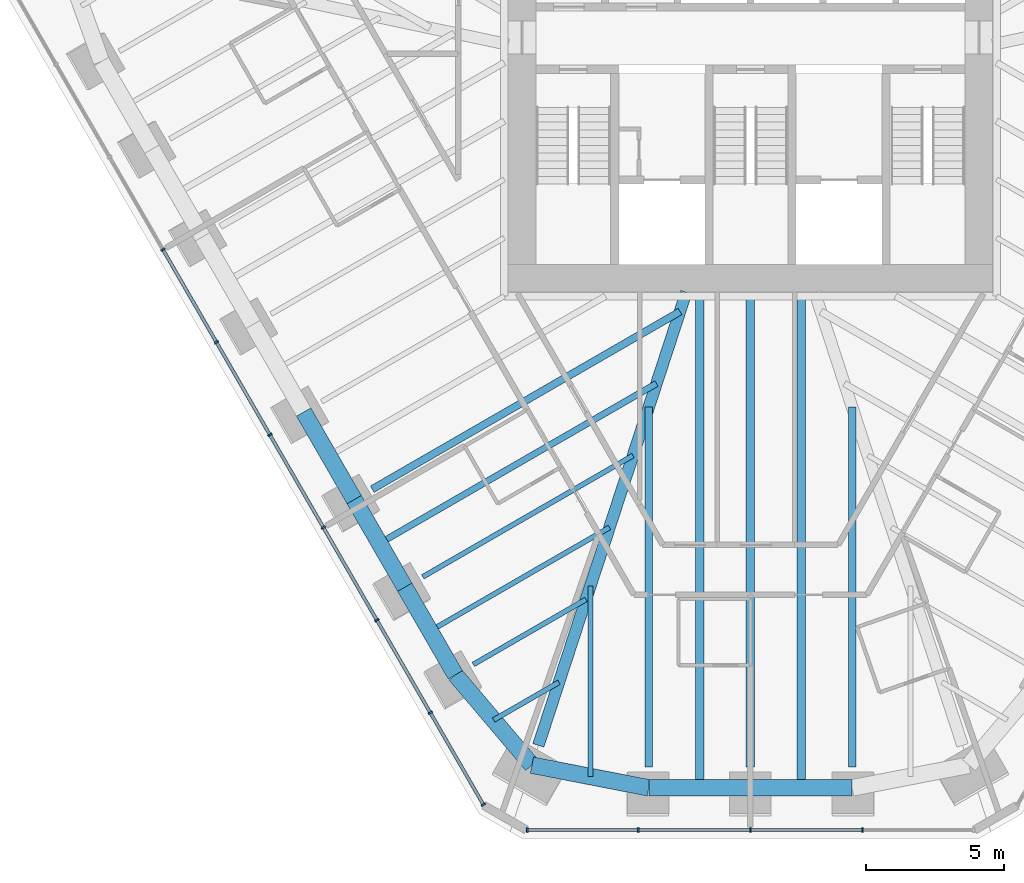
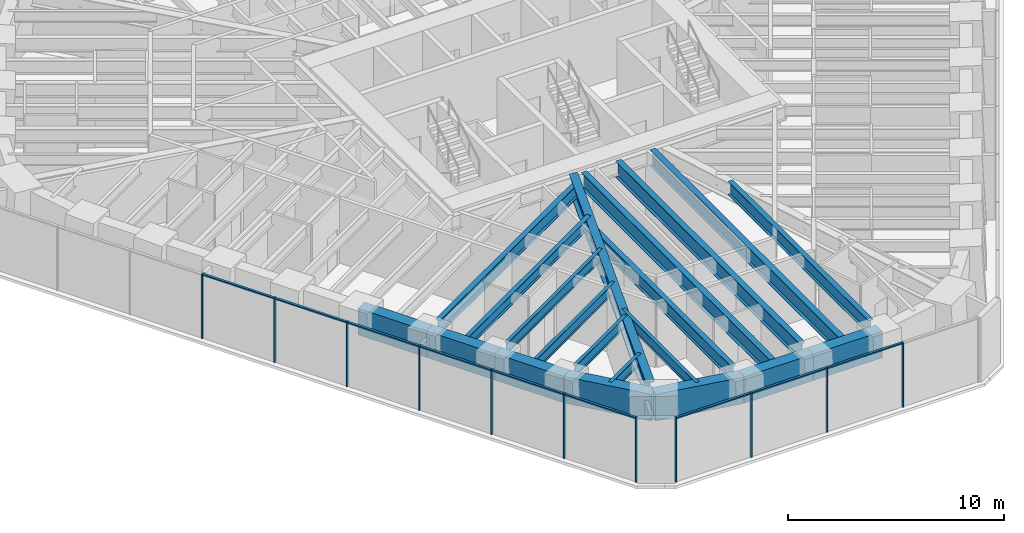
# One storey, part 2 of 17: 20 beams, 20 members, 2 elements without a shape of their own.
"""IFC4 building model written with IfcOpenShell, lengths in metres."""

from ifc_helpers import new_model, si_unit, direction, frame, origin, origin_2d, place, context, subcontext, project, spatial, rectangle, i_section, extrude, material, material_profile, profile_set, type_object, element, aggregate, save


model = new_model("IFC4")

# Units and contexts
model_context = context("Model", 3, precision=1e-05, world=origin(), true_north=direction((0.0, 1.0)))
body_context = subcontext(model_context, "Body", "Model", "MODEL_VIEW")
ifc_project = project(units=[si_unit("LENGTHUNIT", "METRE"), si_unit("AREAUNIT", "SQUARE_METRE"), si_unit("VOLUMEUNIT", "CUBIC_METRE"), si_unit("PLANEANGLEUNIT", "RADIAN"), si_unit("MASSUNIT", "GRAM", prefix="KILO")], contexts=[model_context])

# Site, building, storey
site_placement = place(None, origin())
site = spatial("IfcSite", under=ifc_project, at=site_placement, CompositionType="ELEMENT")
building_placement = place(site_placement, origin())
building = spatial("IfcBuilding", under=site, at=building_placement, Name="Sandreach Pilgrim Tower", CompositionType="ELEMENT")
storey_placement = place(building_placement, frame((0.0, 0.0, 232.60009765625)))
storey = spatial("IfcBuildingStorey", under=building, at=storey_placement, Name="L58", CompositionType="ELEMENT", Elevation=232.60009765625)

# Curtain wall, members
ifc_material_1 = material(Name="Aluminium framed curtain wall", Category="aluminium")
curtain_wall_type = type_object("IfcCurtainWallType", Name="Upper hotel tower curtain wall", PredefinedType="NOTDEFINED", material=ifc_material_1)
curtain_wall_1_placement = place(storey_placement, origin())
curtain_wall_1 = element("IfcCurtainWall", 1, at=curtain_wall_1_placement, inside=storey, type_object=curtain_wall_type, Name="CW-3 L58 S", PredefinedType="NOTDEFINED")
ifc_material_2 = material(Name="Aluminium extrusion", Category="aluminium")
ifc_material_profile_1 = material_profile(ifc_material_2, rectangle(XDim=0.06494140625, YDim=0.159912109375, at=origin_2d()), Name="CW-3M 65X160")
ifc_profile_set_1 = profile_set([ifc_material_profile_1], Name="Aluminium extrusion")
member_type_1 = type_object("IfcMemberType", Name="CW-3 mullion", PredefinedType="MULLION", material=ifc_profile_set_1)
member_1_placement = place(storey_placement, frame((4.048583984375, -26.525146484375, 0.0), z_axis=(0.0, 0.0, 1.0), x_axis=(-1.0, 0.0, 0.0)))
member_1 = element("IfcMember", 2, at=member_1_placement, type_object=member_type_1, Name="CW-3 mullion 2", PredefinedType="MULLION", context=body_context, shape_type="SweptSolid", body=[
    extrude(rectangle(XDim=0.06494140625, YDim=0.159912109375, at=origin_2d()), origin(), (0.0, 0.0, 1.0), 3.639892578125),
])
member_2_placement = place(storey_placement, frame((0.0, -26.525146484375, 0.0), z_axis=(0.0, 0.0, 1.0), x_axis=(-1.0, 0.0, 0.0)))
member_2 = element("IfcMember", 3, at=member_2_placement, type_object=member_type_1, Name="CW-3 mullion 3", PredefinedType="MULLION", context=body_context, shape_type="SweptSolid", body=[
    extrude(rectangle(XDim=0.06494140625, YDim=0.159912109375, at=origin_2d()), origin(), (0.0, 0.0, 1.0), 3.639892578125),
])
member_3_placement = place(storey_placement, frame((-4.048583984375, -26.525146484375, 0.0), z_axis=(0.0, 0.0, 1.0), x_axis=(-1.0, 0.0, 0.0)))
member_3 = element("IfcMember", 4, at=member_3_placement, type_object=member_type_1, Name="CW-3 mullion 4", PredefinedType="MULLION", context=body_context, shape_type="SweptSolid", body=[
    extrude(rectangle(XDim=0.06494140625, YDim=0.159912109375, at=origin_2d()), origin(), (0.0, 0.0, 1.0), 3.639892578125),
])
member_4_placement = place(storey_placement, frame((-8.06494140625, -26.525146484375, 0.0), z_axis=(0.0, 0.0, 1.0), x_axis=(-1.0, 0.0, 0.0)))
member_4 = element("IfcMember", 5, at=member_4_placement, type_object=member_type_1, Name="CW-3 mullion 5", PredefinedType="MULLION", context=body_context, shape_type="SweptSolid", body=[
    extrude(rectangle(XDim=0.06494140625, YDim=0.159912109375, at=origin_2d()), origin(), (0.0, 0.0, 1.0), 3.639892578125),
])

curtain_wall_2_placement = place(storey_placement, origin())
curtain_wall_2 = element("IfcCurtainWall", 6, at=curtain_wall_2_placement, inside=storey, type_object=curtain_wall_type, Name="CW-3 L58 SW", PredefinedType="NOTDEFINED")
member_5_placement = place(storey_placement, frame((-9.646484375, -25.612060546875, 0.0), z_axis=(0.0, 0.0, 1.0), x_axis=(-0.5, 0.866025403784, 0.0)))
member_5 = element("IfcMember", 7, at=member_5_placement, type_object=member_type_1, Name="CW-3 mullion 1", PredefinedType="MULLION", context=body_context, shape_type="SweptSolid", body=[
    extrude(rectangle(XDim=0.06494140625, YDim=0.159912109375, at=origin_2d()), origin(), (0.0, 0.0, 1.0), 3.639892578125),
])
member_6_placement = place(storey_placement, frame((-11.5625, -22.29345703125, 0.0), z_axis=(0.0, 0.0, 1.0), x_axis=(-0.5, 0.866025403784, 0.0)))
member_6 = element("IfcMember", 8, at=member_6_placement, type_object=member_type_1, Name="CW-3 mullion 2", PredefinedType="MULLION", context=body_context, shape_type="SweptSolid", body=[
    extrude(rectangle(XDim=0.06494140625, YDim=0.159912109375, at=origin_2d()), origin(), (0.0, 0.0, 1.0), 3.639892578125),
])
member_7_placement = place(storey_placement, frame((-13.49462890625, -18.94677734375, 0.0), z_axis=(0.0, 0.0, 1.0), x_axis=(-0.5, 0.866025403784, 0.0)))
member_7 = element("IfcMember", 9, at=member_7_placement, type_object=member_type_1, Name="CW-3 mullion 3", PredefinedType="MULLION", context=body_context, shape_type="SweptSolid", body=[
    extrude(rectangle(XDim=0.06494140625, YDim=0.159912109375, at=origin_2d()), origin(), (0.0, 0.0, 1.0), 3.639892578125),
])
member_8_placement = place(storey_placement, frame((-15.4267578125, -15.60009765625, 0.0), z_axis=(0.0, 0.0, 1.0), x_axis=(-0.5, 0.866025403784, 0.0)))
member_8 = element("IfcMember", 10, at=member_8_placement, type_object=member_type_1, Name="CW-3 mullion 4", PredefinedType="MULLION", context=body_context, shape_type="SweptSolid", body=[
    extrude(rectangle(XDim=0.06494140625, YDim=0.159912109375, at=origin_2d()), origin(), (0.0, 0.0, 1.0), 3.639892578125),
])
member_9_placement = place(storey_placement, frame((-17.359130859375, -12.25341796875, 0.0), z_axis=(0.0, 0.0, 1.0), x_axis=(-0.5, 0.866025403784, 0.0)))
member_9 = element("IfcMember", 11, at=member_9_placement, type_object=member_type_1, Name="CW-3 mullion 5", PredefinedType="MULLION", context=body_context, shape_type="SweptSolid", body=[
    extrude(rectangle(XDim=0.06494140625, YDim=0.159912109375, at=origin_2d()), origin(), (0.0, 0.0, 1.0), 3.639892578125),
])
member_10_placement = place(storey_placement, frame((-19.291259765625, -8.90673828125, 0.0), z_axis=(0.0, 0.0, 1.0), x_axis=(-0.5, 0.866025403784, 0.0)))
member_10 = element("IfcMember", 12, at=member_10_placement, type_object=member_type_1, Name="CW-3 mullion 6", PredefinedType="MULLION", context=body_context, shape_type="SweptSolid", body=[
    extrude(rectangle(XDim=0.06494140625, YDim=0.159912109375, at=origin_2d()), origin(), (0.0, 0.0, 1.0), 3.639892578125),
])
member_11_placement = place(storey_placement, frame((-21.223388671875, -5.56005859375, 0.0), z_axis=(0.0, 0.0, 1.0), x_axis=(-0.5, 0.866025403784, 0.0)))
member_11 = element("IfcMember", 13, at=member_11_placement, type_object=member_type_1, Name="CW-3 mullion 7", PredefinedType="MULLION", context=body_context, shape_type="SweptSolid", body=[
    extrude(rectangle(XDim=0.06494140625, YDim=0.159912109375, at=origin_2d()), origin(), (0.0, 0.0, 1.0), 3.639892578125),
])

# Member
ifc_material_3 = material(Name="Aluminium extrusion", Category="aluminium")
ifc_material_profile_2 = material_profile(ifc_material_3, rectangle(XDim=0.1201171875, YDim=0.070068359375, at=origin_2d()), Name="CW-3T 120X70")
ifc_profile_set_2 = profile_set([ifc_material_profile_2], Name="Aluminium extrusion")
member_type_2 = type_object("IfcMemberType", Name="CW-3 transom", PredefinedType="USERDEFINED", material=ifc_profile_set_2)
member_12_placement = place(storey_placement, frame((4.01611328125, -26.525146484375, 3.60498046875), z_axis=(-1.0, 0.0, 0.0), x_axis=(0.0, -1.0, 0.0)))
member_12 = element("IfcMember", 14, at=member_12_placement, type_object=member_type_2, Name="CW-3 head transom 2", ObjectType="TRANSOM", PredefinedType="USERDEFINED", context=body_context, shape_type="SweptSolid", body=[
    extrude(rectangle(XDim=0.1201171875, YDim=0.070068359375, at=origin_2d()), origin(), (0.0, 0.0, 1.0), 3.983642578125),
])

member_13_placement = place(storey_placement, frame((-0.032470703125, -26.525146484375, 3.60498046875), z_axis=(-1.0, 0.0, 0.0), x_axis=(0.0, -1.0, 0.0)))
member_13 = element("IfcMember", 15, at=member_13_placement, type_object=member_type_2, Name="CW-3 head transom 3", ObjectType="TRANSOM", PredefinedType="USERDEFINED", context=body_context, shape_type="SweptSolid", body=[
    extrude(rectangle(XDim=0.1201171875, YDim=0.070068359375, at=origin_2d()), origin(), (0.0, 0.0, 1.0), 3.983642578125),
])

member_14_placement = place(storey_placement, frame((-4.081298828125, -26.525146484375, 3.60498046875), z_axis=(-1.0, 0.0, 0.0), x_axis=(0.0, -1.0, 0.0)))
member_14 = element("IfcMember", 16, at=member_14_placement, type_object=member_type_2, Name="CW-3 head transom 4", ObjectType="TRANSOM", PredefinedType="USERDEFINED", context=body_context, shape_type="SweptSolid", body=[
    extrude(rectangle(XDim=0.1201171875, YDim=0.070068359375, at=origin_2d()), origin(), (0.0, 0.0, 1.0), 3.951171875),
])

aggregate(curtain_wall_1, [member_1, member_2, member_3, member_4, member_12, member_13, member_14])

member_15_placement = place(storey_placement, frame((-9.662841796875, -25.583740234375, 3.60498046875), z_axis=(-0.499973055223, 0.8660409598, 0.0), x_axis=(-0.8660409598, -0.499973055223, 0.0)))
member_15 = element("IfcMember", 17, at=member_15_placement, type_object=member_type_2, Name="CW-3 head transom 1", ObjectType="TRANSOM", PredefinedType="USERDEFINED", context=body_context, shape_type="SweptSolid", body=[
    extrude(rectangle(XDim=0.1201171875, YDim=0.070068359375, at=origin_2d()), origin(), (0.0, 0.0, 1.0), 3.766845703125),
])

member_16_placement = place(storey_placement, frame((-11.57861328125, -22.265380859375, 3.60498046875), z_axis=(-0.500022797313, 0.86601224135, 0.0), x_axis=(-0.86601224135, -0.500022797313, 0.0)))
member_16 = element("IfcMember", 18, at=member_16_placement, type_object=member_type_2, Name="CW-3 head transom 2", ObjectType="TRANSOM", PredefinedType="USERDEFINED", context=body_context, shape_type="SweptSolid", body=[
    extrude(rectangle(XDim=0.1201171875, YDim=0.070068359375, at=origin_2d()), origin(), (0.0, 0.0, 1.0), 3.799560546875),
])

member_17_placement = place(storey_placement, frame((-13.510986328125, -18.918701171875, 3.60498046875), z_axis=(-0.499974606132, 0.866040064445, 0.0), x_axis=(-0.866040064445, -0.499974606132, 0.0)))
member_17 = element("IfcMember", 19, at=member_17_placement, type_object=member_type_2, Name="CW-3 head transom 3", ObjectType="TRANSOM", PredefinedType="USERDEFINED", context=body_context, shape_type="SweptSolid", body=[
    extrude(rectangle(XDim=0.1201171875, YDim=0.070068359375, at=origin_2d()), origin(), (0.0, 0.0, 1.0), 3.799560546875),
])

member_18_placement = place(storey_placement, frame((-15.443115234375, -15.572021484375, 3.60498046875), z_axis=(-0.499974606132, 0.866040064445, 0.0), x_axis=(-0.866040064445, -0.499974606132, 0.0)))
member_18 = element("IfcMember", 20, at=member_18_placement, type_object=member_type_2, Name="CW-3 head transom 4", ObjectType="TRANSOM", PredefinedType="USERDEFINED", context=body_context, shape_type="SweptSolid", body=[
    extrude(rectangle(XDim=0.1201171875, YDim=0.070068359375, at=origin_2d()), origin(), (0.0, 0.0, 1.0), 3.799560546875),
])

member_19_placement = place(storey_placement, frame((-17.375244140625, -12.225341796875, 3.60498046875), z_axis=(-0.500022797313, 0.86601224135, 0.0), x_axis=(-0.86601224135, -0.500022797313, 0.0)))
member_19 = element("IfcMember", 21, at=member_19_placement, type_object=member_type_2, Name="CW-3 head transom 5", ObjectType="TRANSOM", PredefinedType="USERDEFINED", context=body_context, shape_type="SweptSolid", body=[
    extrude(rectangle(XDim=0.1201171875, YDim=0.070068359375, at=origin_2d()), origin(), (0.0, 0.0, 1.0), 3.799560546875),
])

member_20_placement = place(storey_placement, frame((-19.3076171875, -8.878662109375, 3.60498046875), z_axis=(-0.499974606132, 0.866040064445, 0.0), x_axis=(-0.866040064445, -0.499974606132, 0.0)))
member_20 = element("IfcMember", 22, at=member_20_placement, type_object=member_type_2, Name="CW-3 head transom 6", ObjectType="TRANSOM", PredefinedType="USERDEFINED", context=body_context, shape_type="SweptSolid", body=[
    extrude(rectangle(XDim=0.1201171875, YDim=0.070068359375, at=origin_2d()), origin(), (0.0, 0.0, 1.0), 3.799560546875),
])

aggregate(curtain_wall_2, [member_5, member_6, member_7, member_8, member_9, member_10, member_11, member_15, member_16, member_17, member_18, member_19, member_20])

# Beams
ifc_material_4 = material(Name="Steel ASTM A992 Grade 50", Category="steel")
ifc_material_profile_3 = material_profile(ifc_material_4, i_section(OverallWidth=0.421630859375, OverallDepth=0.95751953125, WebThickness=0.02587890625, FlangeThickness=0.046875, at=origin_2d()), Name="W36X330")
ifc_profile_set_3 = profile_set([ifc_material_profile_3], Name="Steel ASTM A992 Grade 50")
beam_type_1 = type_object("IfcBeamType", Name="Corner girder W36X330", PredefinedType="BEAM", material=ifc_profile_set_3)
beam_1_placement = place(storey_placement, frame((-7.661865234375, -23.4716796875, 3.1611328125), z_axis=(0.310318643638, 0.950632599594, 0.0), x_axis=(-0.950632599594, 0.310318643638, 0.0)))
element("IfcBeam", 23, at=beam_1_placement, inside=storey, type_object=beam_type_1, Name="BM L58 CG26", PredefinedType="BEAM", context=body_context, shape_type="SweptSolid", body=[
    extrude(i_section(OverallWidth=0.421630859375, OverallDepth=0.95751953125, WebThickness=0.02587890625, FlangeThickness=0.046875, at=origin_2d()), origin(), (0.0, 0.0, 1.0), 17.2216796875),
])
ifc_material_5 = material(Name="Steel ASTM A992 Grade 50", Category="steel")
ifc_material_profile_4 = material_profile(ifc_material_5, i_section(OverallWidth=0.1787109375, OverallDepth=0.60205078125, WebThickness=0.010986328125, FlangeThickness=0.014892578125, at=origin_2d()), Name="W24X62")
ifc_profile_set_4 = profile_set([ifc_material_profile_4], Name="Steel ASTM A992 Grade 50")
beam_type_2 = type_object("IfcBeamType", Name="Floor beam W24X62", PredefinedType="BEAM", material=ifc_profile_set_4)
beam_2_placement = place(storey_placement, frame((-10.01025390625, -20.546630859375, 3.3388671875), z_axis=(0.866016039709, 0.500016218704, 0.0), x_axis=(-0.500016218704, 0.866016039709, 0.0)))
element("IfcBeam", 24, at=beam_2_placement, inside=storey, type_object=beam_type_2, Name="BM L58 F27", PredefinedType="BEAM", context=body_context, shape_type="SweptSolid", body=[
    extrude(i_section(OverallWidth=0.1787109375, OverallDepth=0.60205078125, WebThickness=0.010986328125, FlangeThickness=0.014892578125, at=origin_2d()), origin(), (0.0, 0.0, 1.0), 4.699951171875),
])
beam_3_placement = place(storey_placement, frame((-11.837158203125, -17.38232421875, 3.3388671875), z_axis=(0.866021001513, 0.500007624881, 0.0), x_axis=(-0.500007624881, 0.866021001513, 0.0)))
element("IfcBeam", 25, at=beam_3_placement, inside=storey, type_object=beam_type_2, Name="BM L58 F28", PredefinedType="BEAM", context=body_context, shape_type="SweptSolid", body=[
    extrude(i_section(OverallWidth=0.1787109375, OverallDepth=0.60205078125, WebThickness=0.010986328125, FlangeThickness=0.014892578125, at=origin_2d()), origin(), (0.0, 0.0, 1.0), 8.769287109375),
])
beam_4_placement = place(storey_placement, frame((-5.783447265625, -24.594970703125, 3.3388671875), z_axis=(0.0, 1.0, 0.0), x_axis=(-1.0, 0.0, 0.0)))
element("IfcBeam", 26, at=beam_4_placement, inside=storey, type_object=beam_type_2, Name="BM L58 FM25", PredefinedType="BEAM", context=body_context, shape_type="SweptSolid", body=[
    extrude(i_section(OverallWidth=0.1787109375, OverallDepth=0.60205078125, WebThickness=0.010986328125, FlangeThickness=0.014892578125, at=origin_2d()), origin(), (0.0, 0.0, 1.0), 6.877685546875),
])
beam_5_placement = place(storey_placement, frame((-9.277099609375, -22.552978515625, 3.3388671875), z_axis=(0.866051307416, 0.49995513091, 0.0), x_axis=(-0.49995513091, 0.866051307416, 0.0)))
element("IfcBeam", 27, at=beam_5_placement, inside=storey, type_object=beam_type_2, Name="BM L58 FM26", PredefinedType="BEAM", context=body_context, shape_type="SweptSolid", body=[
    extrude(i_section(OverallWidth=0.1787109375, OverallDepth=0.60205078125, WebThickness=0.010986328125, FlangeThickness=0.014892578125, at=origin_2d()), origin(), (0.0, 0.0, 1.0), 2.724853515625),
])
beam_6_placement = place(storey_placement, frame((-11.5732421875, -19.33935546875, 3.3388671875), z_axis=(0.866034579541, 0.499984106787, 0.0), x_axis=(-0.499984106787, 0.866034579541, 0.0)))
element("IfcBeam", 28, at=beam_6_placement, inside=storey, type_object=beam_type_2, Name="BM L58 FM27", PredefinedType="BEAM", context=body_context, shape_type="SweptSolid", body=[
    extrude(i_section(OverallWidth=0.1787109375, OverallDepth=0.60205078125, WebThickness=0.010986328125, FlangeThickness=0.014892578125, at=origin_2d()), origin(), (0.0, 0.0, 1.0), 7.484619140625),
])
ifc_material_6 = material(Name="Steel ASTM A992 Grade 50", Category="steel")
ifc_material_profile_5 = material_profile(ifc_material_6, i_section(OverallWidth=0.23046875, OverallDepth=0.6171875, WebThickness=0.01318359375, FlangeThickness=0.022216796875, at=origin_2d()), Name="W24X94")
ifc_profile_set_5 = profile_set([ifc_material_profile_5], Name="Steel ASTM A992 Grade 50")
beam_type_3 = type_object("IfcBeamType", Name="Floor beam W24X94", PredefinedType="BEAM", material=ifc_profile_set_5)
beam_7_placement = place(storey_placement, frame((-13.400146484375, -16.175048828125, 3.331298828125), z_axis=(0.86602653318, 0.499998043825, 0.0), x_axis=(-0.499998043825, 0.86602653318, 0.0)))
element("IfcBeam", 29, at=beam_7_placement, inside=storey, type_object=beam_type_3, Name="BM L58 FM28", PredefinedType="BEAM", context=body_context, shape_type="SweptSolid", body=[
    extrude(i_section(OverallWidth=0.23046875, OverallDepth=0.6171875, WebThickness=0.01318359375, FlangeThickness=0.022216796875, at=origin_2d()), origin(), (0.0, 0.0, 1.0), 11.5537109375),
])
ifc_material_7 = material(Name="Steel ASTM A992 Grade 50", Category="steel")
ifc_material_profile_6 = material_profile(ifc_material_7, i_section(OverallWidth=0.2666015625, OverallDepth=0.761962890625, WebThickness=0.014404296875, FlangeThickness=0.021484375, at=origin_2d()), Name="W30X116")
ifc_profile_set_6 = profile_set([ifc_material_profile_6], Name="Steel ASTM A992 Grade 50")
beam_type_4 = type_object("IfcBeamType", Name="Floor beam W30X116", PredefinedType="BEAM", material=ifc_profile_set_6)
for number, where, z_axis, x_axis, name in (
    (30, (3.67236328125, -24.255615234375, 3.2587890625), (0.0, 1.0, 0.0), (-1.0, 0.0, 0.0), "BM L58 F23"),
    (31, (-3.67236328125, -24.255615234375, 3.2587890625), (0.0, 1.0, 0.0), (-1.0, 0.0, 0.0), "BM L58 F25"),
):
    element("IfcBeam", number, at=place(storey_placement, frame(where, z_axis=z_axis, x_axis=x_axis)), inside=storey, type_object=beam_type_4, Name=name, PredefinedType="BEAM", context=body_context, shape_type="SweptSolid", body=[
        extrude(i_section(OverallWidth=0.2666015625, OverallDepth=0.761962890625, WebThickness=0.014404296875, FlangeThickness=0.021484375, at=origin_2d()), origin(), (0.0, 0.0, 1.0), 13.005615234375),
    ])
beam_8_placement = place(storey_placement, frame((-13.6640625, -14.2177734375, 3.2587890625), z_axis=(0.866026298109, 0.499998450982, 0.0), x_axis=(-0.499998450982, 0.866026298109, 0.0)))
element("IfcBeam", 32, at=beam_8_placement, inside=storey, type_object=beam_type_4, Name="BM L58 F29", PredefinedType="BEAM", context=body_context, shape_type="SweptSolid", body=[
    extrude(i_section(OverallWidth=0.2666015625, OverallDepth=0.761962890625, WebThickness=0.014404296875, FlangeThickness=0.021484375, at=origin_2d()), origin(), (0.0, 0.0, 1.0), 12.83837890625),
])
ifc_material_8 = material(Name="Steel ASTM A992 Grade 50", Category="steel")
ifc_material_profile_7 = material_profile(ifc_material_8, i_section(OverallWidth=0.3046875, OverallDepth=0.914306640625, WebThickness=0.0166015625, FlangeThickness=0.02587890625, at=origin_2d()), Name="W36X160")
ifc_profile_set_7 = profile_set([ifc_material_profile_7], Name="Steel ASTM A992 Grade 50")
beam_type_5 = type_object("IfcBeamType", Name="Floor beam W36X160", PredefinedType="BEAM", material=ifc_profile_set_7)
beam_9_placement = place(storey_placement, frame((0.0, -24.255615234375, 3.1826171875), z_axis=(0.0, 1.0, 0.0), x_axis=(-1.0, 0.0, 0.0)))
element("IfcBeam", 33, at=beam_9_placement, inside=storey, type_object=beam_type_5, Name="BM L58 F24", PredefinedType="BEAM", context=body_context, shape_type="SweptSolid", body=[
    extrude(i_section(OverallWidth=0.3046875, OverallDepth=0.914306640625, WebThickness=0.0166015625, FlangeThickness=0.02587890625, at=origin_2d()), origin(), (0.0, 0.0, 1.0), 17.01220703125),
])
for number, where, z_axis, x_axis, name in (
    (34, (1.836181640625, -25.005615234375, 3.1826171875), (0.0, 1.0, 0.0), (-1.0, 0.0, 0.0), "BM L58 FM23"),
    (35, (-1.836181640625, -25.005615234375, 3.1826171875), (0.0, 1.0, 0.0), (-1.0, 0.0, 0.0), "BM L58 FM24"),
):
    element("IfcBeam", number, at=place(storey_placement, frame(where, z_axis=z_axis, x_axis=x_axis)), inside=storey, type_object=beam_type_5, Name=name, PredefinedType="BEAM", context=body_context, shape_type="SweptSolid", body=[
        extrude(i_section(OverallWidth=0.3046875, OverallDepth=0.914306640625, WebThickness=0.0166015625, FlangeThickness=0.02587890625, at=origin_2d()), origin(), (0.0, 0.0, 1.0), 17.76220703125),
    ])
ifc_material_9 = material(Name="Concrete 10000 psi", Category="concrete")
ifc_material_profile_8 = material_profile(ifc_material_9, rectangle(XDim=0.60009765625, YDim=1.5, at=origin_2d()), Name="RC600X1500")
ifc_profile_set_8 = profile_set([ifc_material_profile_8], Name="Concrete 10000 psi")
beam_type_6 = type_object("IfcBeamType", Name="Spandrel beam RC600X1500", PredefinedType="SPANDREL", material=ifc_profile_set_8)
for number, where, z_axis, x_axis, name in (
    (36, (3.67236328125, -25.005615234375, 2.889892578125), (-1.0, 0.0, 0.0), (0.0, -1.0, 0.0), "BM L58 SP23"),
    (37, (0.0, -25.005615234375, 2.889892578125), (-1.0, 0.0, 0.0), (0.0, -1.0, 0.0), "BM L58 SP24"),
):
    element("IfcBeam", number, at=place(storey_placement, frame(where, z_axis=z_axis, x_axis=x_axis)), inside=storey, type_object=beam_type_6, Name=name, PredefinedType="SPANDREL", context=body_context, shape_type="SweptSolid", body=[
        extrude(rectangle(XDim=0.60009765625, YDim=1.5, at=origin_2d()), origin(), (0.0, 0.0, 1.0), 3.67236328125),
    ])
beam_10_placement = place(storey_placement, frame((-3.67236328125, -25.005615234375, 2.889892578125), z_axis=(-0.981612435484, 0.190884851424, 0.0), x_axis=(-0.190884851424, -0.981612435484, 0.0)))
element("IfcBeam", 38, at=beam_10_placement, inside=storey, type_object=beam_type_6, Name="BM L58 SP25", PredefinedType="SPANDREL", context=body_context, shape_type="SweptSolid", body=[
    extrude(rectangle(XDim=0.60009765625, YDim=1.5, at=origin_2d()), origin(), (0.0, 0.0, 1.0), 4.30126953125),
])
beam_11_placement = place(storey_placement, frame((-7.89453125, -24.1845703125, 2.889892578125), z_axis=(-0.646512685898, 0.762903235655, 0.0), x_axis=(-0.762903235655, -0.646512685898, 0.0)))
element("IfcBeam", 39, at=beam_11_placement, inside=storey, type_object=beam_type_6, Name="BM L58 SP26", PredefinedType="SPANDREL", context=body_context, shape_type="SweptSolid", body=[
    extrude(rectangle(XDim=0.60009765625, YDim=1.5, at=origin_2d()), origin(), (0.0, 0.0, 1.0), 4.277099609375),
])
beam_12_placement = place(storey_placement, frame((-10.65966796875, -20.921630859375, 2.889892578125), z_axis=(-0.499998153873, 0.866026469644, 0.0), x_axis=(-0.866026469644, -0.499998153873, 0.0)))
element("IfcBeam", 40, at=beam_12_placement, inside=storey, type_object=beam_type_6, Name="BM L58 SP27", PredefinedType="SPANDREL", context=body_context, shape_type="SweptSolid", body=[
    extrude(rectangle(XDim=0.60009765625, YDim=1.5, at=origin_2d()), origin(), (0.0, 0.0, 1.0), 3.65380859375),
])
beam_13_placement = place(storey_placement, frame((-12.486572265625, -17.75732421875, 2.889892578125), z_axis=(-0.500019332402, 0.866014241929, 0.0), x_axis=(-0.866014241929, -0.500019332402, 0.0)))
element("IfcBeam", 41, at=beam_13_placement, inside=storey, type_object=beam_type_6, Name="BM L58 SP28", PredefinedType="SPANDREL", context=body_context, shape_type="SweptSolid", body=[
    extrude(rectangle(XDim=0.60009765625, YDim=1.5, at=origin_2d()), origin(), (0.0, 0.0, 1.0), 3.654052734375),
])
beam_14_placement = place(storey_placement, frame((-14.313720703125, -14.5927734375, 2.889892578125), z_axis=(-0.499998153873, 0.866026469644, 0.0), x_axis=(-0.866026469644, -0.499998153873, 0.0)))
element("IfcBeam", 42, at=beam_14_placement, inside=storey, type_object=beam_type_6, Name="BM L58 SP29", PredefinedType="SPANDREL", context=body_context, shape_type="SweptSolid", body=[
    extrude(rectangle(XDim=0.60009765625, YDim=1.5, at=origin_2d()), origin(), (0.0, 0.0, 1.0), 3.65380859375),
])

save(model, "model.ifc")
